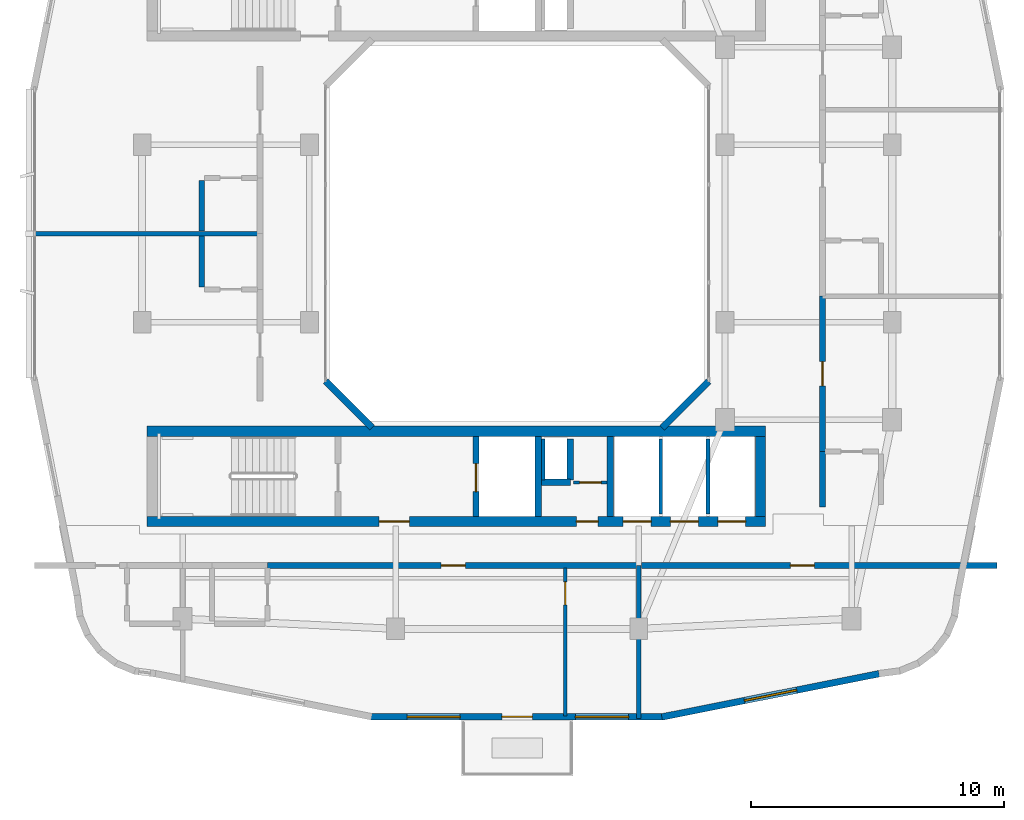
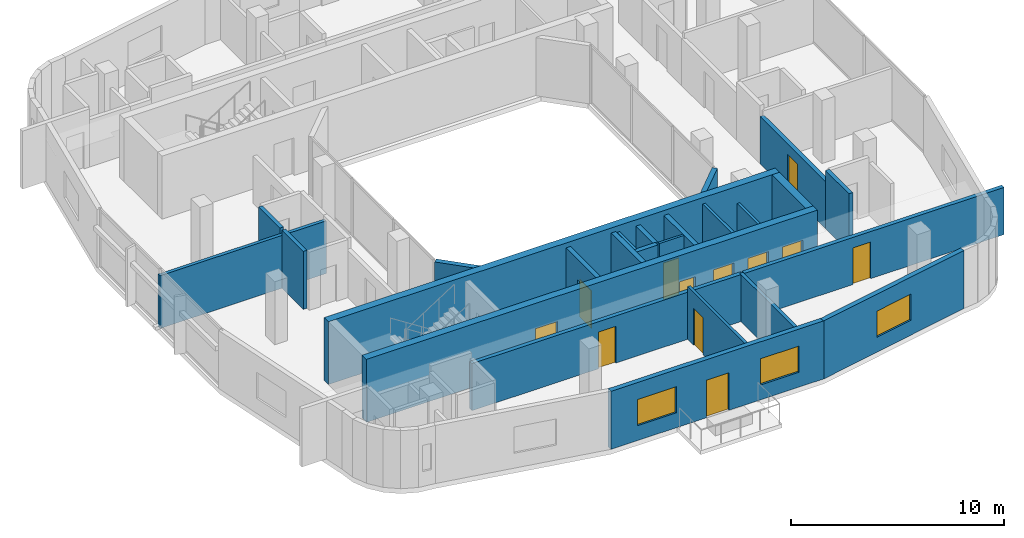
# One storey, part 6 of 13: 25 walls, 12 doors, 3 windows, 15 openings.
"""IFC4 building model written with IfcOpenShell, lengths in metres."""

import ifcopenshell
import ifcopenshell.guid

model = None  # the IFC model being written
_history = None  # IfcOwnerHistory: only IFC2X3 demands one
_inside = {}  # id of a spatial element -> (the spatial element, [elements in it])
_under = {}  # id of a project, library or spatial element -> (it, [spatial elements below it])
_declared = {}  # id of a project -> (the project, [libraries it declares])
_typed = {}  # id of a type object -> (the type object, [elements of that type])
_made_of = {}  # id of a material, layer set ... -> (it, [elements and type objects made of it])


def new_model(schema):
    """Start an empty IFC model of exactly this schema.

    Asked for "IFC4X3", IfcOpenShell would pick the latest addendum, in which some entities
    have other attributes; the version numbers below select the first issue.
    IFC2X3 requires an IfcOwnerHistory on every rooted entity: one is made here for all.
    """
    global model, _history
    if schema == "IFC4X3":
        model = ifcopenshell.file(schema_version=(4, 3, 0, 0))
    else:
        model = ifcopenshell.file(schema=schema)
    _inside.clear()
    _under.clear()
    _declared.clear()
    _typed.clear()
    _made_of.clear()
    _history = None
    if model.schema == "IFC2X3":
        org = make("IfcOrganization", Name="unknown")
        user = make(
            "IfcPersonAndOrganization",
            ThePerson=make("IfcPerson", FamilyName="unknown"),
            TheOrganization=org,
        )
        app = make(
            "IfcApplication",
            ApplicationDeveloper=org,
            Version="unknown",
            ApplicationFullName="unknown",
            ApplicationIdentifier="unknown",
        )
        _history = make(
            "IfcOwnerHistory",
            OwningUser=user,
            OwningApplication=app,
            ChangeAction="ADDED",
            CreationDate=0,
        )
    return model


def make(cls, **values):
    """One entity of the class cls with the attributes given. An attribute that is None is left unset."""
    return model.create_entity(
        cls, **{name: value for name, value in values.items() if value is not None}
    )


def rooted(cls, **values):
    """An entity with a GlobalId (a new one), such as an element, a storey or a relation."""
    return make(cls, GlobalId=ifcopenshell.guid.new(), OwnerHistory=_history, **values)


def si_unit(unit_type, name, prefix=None):
    """IfcSIUnit, for example si_unit("LENGTHUNIT", "METRE", prefix="MILLI")."""
    return make("IfcSIUnit", UnitType=unit_type, Prefix=prefix, Name=name)


def derived_unit(unit_type, elements):
    """IfcDerivedUnit: a product of units, each with its exponent."""
    return make(
        "IfcDerivedUnit",
        Elements=[
            make("IfcDerivedUnitElement", Unit=unit, Exponent=power)
            for unit, power in elements
        ],
        UnitType=unit_type,
    )


def assignment(units):
    """IfcUnitAssignment: the units of a project."""
    return None if units is None else make("IfcUnitAssignment", Units=units)


def point(xyz):
    """IfcCartesianPoint."""
    return None if xyz is None else make("IfcCartesianPoint", Coordinates=xyz)


def direction(xyz):
    """IfcDirection."""
    return None if xyz is None else make("IfcDirection", DirectionRatios=xyz)


def frame(location, z_axis=None, x_axis=None):
    """IfcAxis2Placement3D, a coordinate frame: its origin and axes. An axis left out is left unset."""
    return make(
        "IfcAxis2Placement3D",
        Location=point(location),
        Axis=direction(z_axis),
        RefDirection=direction(x_axis),
    )


def frame_2d(location, x_axis=None):
    """IfcAxis2Placement2D, a coordinate frame in the plane: its origin and x axis."""
    return make(
        "IfcAxis2Placement2D", Location=point(location), RefDirection=direction(x_axis)
    )


def origin():
    """The frame at (0, 0, 0) with its axes left unset."""
    return frame((0.0, 0.0, 0.0))


def place(relative_to, where):
    """IfcLocalPlacement: puts the frame where relative to a parent placement (None: the world)."""
    return make(
        "IfcLocalPlacement", PlacementRelTo=relative_to, RelativePlacement=where
    )


def context(
    kind, dimensions, precision=None, world=None, true_north=None, identifier=None
):
    """IfcGeometricRepresentationContext, for example the 3D "Model" context."""
    return make(
        "IfcGeometricRepresentationContext",
        ContextIdentifier=identifier,
        ContextType=kind,
        CoordinateSpaceDimension=dimensions,
        Precision=precision,
        WorldCoordinateSystem=world,
        TrueNorth=true_north,
    )


def subcontext(parent, identifier, kind, view, scale=None):
    """IfcGeometricRepresentationSubContext, for example "Body" below "Model"."""
    return make(
        "IfcGeometricRepresentationSubContext",
        ContextIdentifier=identifier,
        ContextType=kind,
        ParentContext=parent,
        TargetScale=scale,
        TargetView=view,
    )


def project(units=None, contexts=None):
    """IfcProject with its units and contexts."""
    return rooted(
        "IfcProject",
        Name="project",
        RepresentationContexts=contexts,
        UnitsInContext=assignment(units),
    )


def spatial(cls, under=None, at=None, **own):
    """A site, building, storey or space (cls), placed at a placement, below another one or the project."""
    s = rooted(cls, ObjectPlacement=at, **own)
    if under is not None:
        _under.setdefault(under.id(), (under, []))[1].append(s)
    return s


def profile(cls, at=None, kind="AREA", **sizes):
    """A parametric profile (cls). Its sizes go by their IFC names, for example OverallWidth=200.0."""
    return make(cls, ProfileType=kind, Position=at, **sizes)


def rectangle(**sizes):
    """IfcRectangleProfileDef."""
    return profile("IfcRectangleProfileDef", **sizes)


def extrude(swept, where, along, depth):
    """IfcExtrudedAreaSolid: the profile swept, set in the frame where, extruded along a direction by depth."""
    return make(
        "IfcExtrudedAreaSolid",
        SweptArea=swept,
        Position=where,
        ExtrudedDirection=direction(along),
        Depth=depth,
    )


def shape(context_of_items, identifier, shape_type, items):
    """IfcShapeRepresentation: the items that make up one representation, for example the "Body"."""
    return make(
        "IfcShapeRepresentation",
        ContextOfItems=context_of_items,
        RepresentationIdentifier=identifier,
        RepresentationType=shape_type,
        Items=items,
    )


def material(Name=None, Category=None):
    """IfcMaterial."""
    return make("IfcMaterial", Name=Name, Category=Category)


def layer(
    of_material, thickness, ventilated=None, Name=None, Category=None, Priority=None
):
    """IfcMaterialLayer: one layer of a wall or slab, of a material (None: an air gap)."""
    return make(
        "IfcMaterialLayer",
        Material=of_material,
        LayerThickness=thickness,
        IsVentilated=ventilated,
        Name=Name,
        Category=Category,
        Priority=Priority,
    )


def layer_set(layers, Name=None):
    """IfcMaterialLayerSet."""
    return make("IfcMaterialLayerSet", MaterialLayers=layers, LayerSetName=Name)


def made_of(thing, what):
    """Note that an element or type object is made of a material, layer set ...; save() writes the relation."""
    if what is not None:
        _made_of.setdefault(what.id(), (what, []))[1].append(thing)
    return thing


def type_object(cls, material=None, **own):
    """A type object (cls), such as IfcWallType, which elements share."""
    return made_of(rooted(cls, **own), material)


def element(
    cls,
    number,
    at=None,
    inside=None,
    cuts=None,
    type_object=None,
    material=None,
    context=None,
    identifier="Body",
    shape_type=None,
    held_by="IfcProductDefinitionShape",
    body=None,
    shapes=None,
    **own,
):
    """One element of the class cls, such as IfcWall. Its Tag is "e" and its number.

    at: its placement. inside: the storey or other place that contains it. cuts: it is an
    opening in that element (IfcRelVoidsElement). A single representation is given by context,
    identifier, shape_type and body (its items); several are given by shapes. held_by: the class
    of the entity that holds the representations. save() writes the other relations.
    """
    e = rooted(cls, Tag="e%d" % number, ObjectPlacement=at, **own)
    if body is not None:
        shapes = [shape(context, identifier, shape_type, body)]
    if shapes is not None:
        e.Representation = make(held_by, Representations=shapes)
    if inside is not None:
        _inside.setdefault(inside.id(), (inside, []))[1].append(e)
    if cuts is not None:
        rooted(
            "IfcRelVoidsElement", RelatingBuildingElement=cuts, RelatedOpeningElement=e
        )
    if type_object is not None:
        _typed.setdefault(type_object.id(), (type_object, []))[1].append(e)
    return made_of(e, material)


def fill(opening, filler):
    """IfcRelFillsElement: the door or window that sits in an opening."""
    return rooted(
        "IfcRelFillsElement",
        RelatingOpeningElement=opening,
        RelatedBuildingElement=filler,
    )


def aggregate(whole, parts):
    """IfcRelAggregates: a whole, such as a stair, and the parts it consists of."""
    return rooted("IfcRelAggregates", RelatingObject=whole, RelatedObjects=parts)


def save(model, path):
    """Write the relations noted so far, then the file.

    IfcRelAggregates (storeys below a building ...), IfcRelContainedInSpatialStructure (elements
    in a storey), IfcRelDefinesByType, IfcRelAssociatesMaterial and IfcRelDeclares: one each for
    every whole, place, type object, material and project.
    """
    for whole, parts in _under.values():
        aggregate(whole, parts)
    for where, things in _inside.values():
        rooted(
            "IfcRelContainedInSpatialStructure",
            RelatedElements=things,
            RelatingStructure=where,
        )
    for kind, things in _typed.values():
        rooted("IfcRelDefinesByType", RelatedObjects=things, RelatingType=kind)
    for what, things in _made_of.values():
        rooted("IfcRelAssociatesMaterial", RelatedObjects=things, RelatingMaterial=what)
    for by, libraries in _declared.values():
        rooted("IfcRelDeclares", RelatingContext=by, RelatedDefinitions=libraries)
    model.write(path)


model = new_model("IFC4")

# Units and contexts
model_context = context("Model", 3, precision=1e-05, world=origin(), true_north=direction((0.0, 1.0)))
body_context = subcontext(model_context, "Body", "Model", "MODEL_VIEW")
ifc_project = project(units=[si_unit("LENGTHUNIT", "METRE"), si_unit("AREAUNIT", "SQUARE_METRE"), si_unit("VOLUMEUNIT", "CUBIC_METRE"), si_unit("PLANEANGLEUNIT", "RADIAN"), si_unit("MASSUNIT", "GRAM", prefix="KILO"), derived_unit("THERMALTRANSMITTANCEUNIT", [(si_unit("POWERUNIT", "WATT"), 1), (si_unit("LENGTHUNIT", "METRE"), -2), (si_unit("THERMODYNAMICTEMPERATUREUNIT", "KELVIN"), -1)])], contexts=[model_context])

# Site, building, storey
site_placement = place(None, origin())
site = spatial("IfcSite", under=ifc_project, at=site_placement, CompositionType="ELEMENT")
building_placement = place(site_placement, origin())
building = spatial("IfcBuilding", under=site, at=building_placement, Name="Kivonza Crest Hotel", CompositionType="ELEMENT")
storey_placement = place(building_placement, frame((0.0, 0.0, 220.699951171875)))
storey = spatial("IfcBuildingStorey", under=building, at=storey_placement, Name="L60", CompositionType="ELEMENT", Elevation=220.699951171875)

# Walls
ifc_material_1 = material(Name="High-density acoustic masonry inter-tenancy wall", Category="masonry")
ifc_layer_1 = layer(ifc_material_1, 0.179931640625)
ifc_layer_set_1 = layer_set([ifc_layer_1], Name="High-density acoustic masonry inter-tenancy wall")
wall_type_1 = type_object("IfcWallType", Name="WL-ACOU-180", PredefinedType="SOLIDWALL", material=ifc_layer_set_1)
wall_1_placement = place(storey_placement, frame((25.800048828125, 5.860107421875, 0.0), z_axis=(0.0, 0.0, 1.0), x_axis=(0.0, 1.0, 0.0)))
element("IfcWall", 1, at=wall_1_placement, inside=storey, type_object=wall_type_1, Name="L60 interior partition WA-L60-T1S-DIV2", PredefinedType="SOLIDWALL", context=body_context, shape_type="SweptSolid", body=[
    extrude(rectangle(XDim=6.039794921875, YDim=0.179931640625, at=frame_2d((3.02001953125, 0.0))), origin(), (0.0, 0.0, 1.0), 2.695068359375),
])
wall_2_placement = place(storey_placement, frame((1.860107421875, 25.0, 0.0), z_axis=(0.0, 0.0, 1.0), x_axis=(1.0, 0.0, 0.0)))
element("IfcWall", 2, at=wall_2_placement, inside=storey, type_object=wall_type_1, Name="L60 interior partition WA-L60-T1W-DIV1", PredefinedType="SOLIDWALL", context=body_context, shape_type="SweptSolid", body=[
    extrude(rectangle(XDim=8.989990234375, YDim=0.179931640625, at=frame_2d((4.4951171875, 0.0))), origin(), (0.0, 0.0, 1.0), 3.01513671875),
])

# Wall, opening, door
ifc_material_2 = material(Name="Autoclaved aerated concrete blockwork", Category="masonry")
ifc_layer_2 = layer(ifc_material_2, 0.219970703125)
ifc_layer_set_2 = layer_set([ifc_layer_2], Name="Autoclaved aerated concrete blockwork")
wall_type_2 = type_object("IfcWallType", Name="WL-ACOU-220", PredefinedType="SOLIDWALL", material=ifc_layer_set_2)
wall_3_placement = place(storey_placement, frame((11.14990234375, 11.89990234375, 0.0), z_axis=(0.0, 0.0, 1.0), x_axis=(1.0, 0.0, 0.0)))
wall_3 = element("IfcWall", 3, at=wall_3_placement, inside=storey, type_object=wall_type_2, Name="L60 interior partition WA-L60-S06-MCORR", PredefinedType="SOLIDWALL", context=body_context, shape_type="SweptSolid", body=[
    extrude(rectangle(XDim=14.650146484375, YDim=0.219970703125, at=frame_2d((7.3251953125, 0.0))), origin(), (0.0, 0.0, 1.0), 2.695068359375),
])
opening_1_placement = place(wall_3_placement, frame((6.85009765625, 0.0, 0.0)))
opening_1 = element("IfcOpeningElement", 4, at=opening_1_placement, cuts=wall_3, Name="Opening DU-60", PredefinedType="OPENING", context=body_context, shape_type="SweptSolid", body=[
    extrude(rectangle(XDim=0.949951171875, YDim=2.10009765625, at=frame_2d((0.47509765625, 1.050048828125))), frame((0.0, 0.1201171875, 0.0), z_axis=(0.0, -1.0, 0.0), x_axis=(1.0, 0.0, 0.0)), (0.0, 0.0, 1.0), 0.239990234375),
])
ifc_material_3 = material(Name="Hardwood timber oak", Category="wood")
door_type_1 = type_object("IfcDoorType", Name="DR-UNIT-950", OperationType="NOTDEFINED", PredefinedType="DOOR", material=ifc_material_3)
door_1_placement = place(opening_1_placement, frame((0.949951171875, 0.0, 0.0), z_axis=(0.0, 0.0, 1.0), x_axis=(-1.0, 0.0, 0.0)))
door_1 = element("IfcDoor", 5, at=door_1_placement, inside=storey, type_object=door_type_1, Name="L60 S06 guest unit entrance fire door", OperationType="SINGLE_SWING_RIGHT", OverallHeight=2.10009765625, OverallWidth=0.949951171875, PredefinedType="DOOR", context=body_context, shape_type="SweptSolid", body=[
    extrude(rectangle(XDim=0.949951171875, YDim=2.10009765625, at=frame_2d((0.47509765625, 1.050048828125))), frame((0.0, 0.02490234375, 0.0), z_axis=(0.0, -1.0, 0.0), x_axis=(1.0, 0.0, 0.0)), (0.0, 0.0, 1.0), 0.050048828125),
])
fill(opening_1, door_1)

wall_4_placement = place(storey_placement, frame((25.89990234375, 11.89990234375, 0.0), z_axis=(0.0, 0.0, 1.0), x_axis=(1.0, 0.0, 0.0)))
wall_4 = element("IfcWall", 6, at=wall_4_placement, inside=storey, type_object=wall_type_2, Name="L60 interior partition WA-L60-BUS-MTG-N", PredefinedType="SOLIDWALL", context=body_context, shape_type="SweptSolid", body=[
    extrude(rectangle(XDim=14.0400390625, YDim=0.219970703125, at=frame_2d((7.02001953125, 0.0))), origin(), (0.0, 0.0, 1.0), 2.695068359375),
])
opening_2_placement = place(wall_4_placement, frame((5.881103515625, 0.0, 0.0)))
opening_2 = element("IfcOpeningElement", 7, at=opening_2_placement, cuts=wall_4, Name="Opening DF-60S", PredefinedType="OPENING", context=body_context, shape_type="SweptSolid", body=[
    extrude(rectangle(XDim=0.949951171875, YDim=2.10009765625, at=frame_2d((0.47509765625, 1.050048828125))), frame((0.0, 0.1201171875, 0.0), z_axis=(0.0, -1.0, 0.0), x_axis=(1.0, 0.0, 0.0)), (0.0, 0.0, 1.0), 0.239990234375),
])
door_type_2 = type_object("IfcDoorType", Name="DR-FD60-950", OperationType="NOTDEFINED", PredefinedType="DOOR", material=ifc_material_3)
door_2_placement = place(opening_2_placement, frame((0.949951171875, 0.0, 0.0), z_axis=(0.0, 0.0, 1.0), x_axis=(-1.0, 0.0, 0.0)))
door_2 = element("IfcDoor", 8, at=door_2_placement, inside=storey, type_object=door_type_2, Name="L60 Executive Club Lounge door", OperationType="SINGLE_SWING_RIGHT", OverallHeight=2.10009765625, OverallWidth=0.949951171875, PredefinedType="DOOR", context=body_context, shape_type="SweptSolid", body=[
    extrude(rectangle(XDim=0.949951171875, YDim=2.10009765625, at=frame_2d((0.47509765625, 1.050048828125))), frame((0.0, 0.02490234375, 0.0), z_axis=(0.0, -1.0, 0.0), x_axis=(1.0, 0.0, 0.0)), (0.0, 0.0, 1.0), 0.050048828125),
])
fill(opening_2, door_2)

# Wall
wall_5_placement = place(storey_placement, frame((33.050048828125, 14.199951171875, 0.0), z_axis=(0.0, 0.0, 1.0), x_axis=(0.0, 1.0, 0.0)))
element("IfcWall", 9, at=wall_5_placement, inside=storey, type_object=wall_type_2, Name="L60 interior partition WA-L60-E09-BCORR", PredefinedType="SOLIDWALL", context=body_context, shape_type="SweptSolid", body=[
    extrude(rectangle(XDim=2.199951171875, YDim=0.219970703125, at=frame_2d((1.10009765625, 0.0))), origin(), (0.0, 0.0, 1.0), 3.320068359375),
])

# Wall, opening, door
wall_6_placement = place(storey_placement, frame((33.050048828125, 16.39990234375, 0.0), z_axis=(0.0, 0.0, 1.0), x_axis=(0.0, 1.0, 0.0)))
wall_6 = element("IfcWall", 10, at=wall_6_placement, inside=storey, type_object=wall_type_2, Name="L60 interior partition WA-L60-E09-MCORR", PredefinedType="SOLIDWALL", context=body_context, shape_type="SweptSolid", body=[
    extrude(rectangle(XDim=6.134033203125, YDim=0.219970703125, at=frame_2d((3.06689453125, 0.0))), origin(), (0.0, 0.0, 1.0), 2.695068359375),
])
opening_3_placement = place(wall_6_placement, frame((2.592041015625, 0.0, 0.0)))
opening_3 = element("IfcOpeningElement", 11, at=opening_3_placement, cuts=wall_6, Name="Opening DU-60", PredefinedType="OPENING", context=body_context, shape_type="SweptSolid", body=[
    extrude(rectangle(XDim=0.949951171875, YDim=2.10009765625, at=frame_2d((0.47509765625, 1.050048828125))), frame((0.0, 0.1201171875, 0.0), z_axis=(0.0, -1.0, 0.0), x_axis=(1.0, 0.0, 0.0)), (0.0, 0.0, 1.0), 0.239990234375),
])
door_3_placement = place(opening_3_placement, frame((0.949951171875, 0.0, 0.0), z_axis=(0.0, 0.0, 1.0), x_axis=(-1.0, 0.0, 0.0)))
door_3 = element("IfcDoor", 12, at=door_3_placement, inside=storey, type_object=door_type_1, Name="L60 E09 guest unit entrance fire door", OperationType="SINGLE_SWING_LEFT", OverallHeight=2.10009765625, OverallWidth=0.949951171875, PredefinedType="DOOR", context=body_context, shape_type="SweptSolid", body=[
    extrude(rectangle(XDim=0.949951171875, YDim=2.10009765625, at=frame_2d((0.47509765625, 1.050048828125))), frame((0.0, 0.02490234375, 0.0), z_axis=(0.0, -1.0, 0.0), x_axis=(1.0, 0.0, 0.0)), (0.0, 0.0, 1.0), 0.050048828125),
])
fill(opening_3, door_3)

# Wall, openings, doors
ifc_material_4 = material(Name="Concrete C50/60", Category="concrete")
ifc_layer_3 = layer(ifc_material_4, 0.39990234375)
ifc_layer_set_3 = layer_set([ifc_layer_3], Name="Concrete C50/60")
wall_type_3 = type_object("IfcWallType", Name="WL-CORE-400", PredefinedType="SHEAR", material=ifc_layer_set_3)
wall_7_placement = place(storey_placement, frame((6.39990234375, 13.639892578125, 0.0), z_axis=(0.0, 0.0, 1.0), x_axis=(1.0, 0.0, 0.0)))
wall_7 = element("IfcWall", 13, at=wall_7_placement, inside=storey, type_object=wall_type_3, Name="Core wall T1-S South L60", PredefinedType="SHEAR", context=body_context, shape_type="SweptSolid", body=[
    extrude(rectangle(XDim=24.400146484375, YDim=0.39990234375, at=frame_2d((12.2001953125, 0.0))), origin(), (0.0, 0.0, 1.0), 3.60009765625),
])
opening_4_placement = place(wall_7_placement, frame((9.14990234375, 0.0, 0.0)))
opening_4 = element("IfcOpeningElement", 14, at=opening_4_placement, cuts=wall_7, Name="Opening DF-60", PredefinedType="OPENING", context=body_context, shape_type="SweptSolid", body=[
    extrude(rectangle(XDim=1.199951171875, YDim=2.14990234375, at=frame_2d((0.60009765625, 1.074951171875))), frame((0.0, 0.2099609375, 0.0), z_axis=(0.0, -1.0, 0.0), x_axis=(1.0, 0.0, 0.0)), (0.0, 0.0, 1.0), 0.419921875),
])
opening_5_placement = place(wall_7_placement, frame((16.93994140625, 0.0, 0.0)))
opening_5 = element("IfcOpeningElement", 15, at=opening_5_placement, cuts=wall_7, Name="Opening DF-60R", PredefinedType="OPENING", context=body_context, shape_type="SweptSolid", body=[
    extrude(rectangle(XDim=0.85009765625, YDim=2.10009765625, at=frame_2d((0.425048828125, 1.050048828125))), frame((0.0, 0.2099609375, 0.0), z_axis=(0.0, -1.0, 0.0), x_axis=(1.0, 0.0, 0.0)), (0.0, 0.0, 1.0), 0.419921875),
])
opening_6_placement = place(wall_7_placement, frame((18.782958984375, 0.0, 0.0)))
opening_6 = element("IfcOpeningElement", 16, at=opening_6_placement, cuts=wall_7, Name="Opening LD-120", PredefinedType="OPENING", context=body_context, shape_type="SweptSolid", body=[
    extrude(rectangle(XDim=1.10009765625, YDim=2.14990234375, at=frame_2d((0.550048828125, 1.074951171875))), frame((0.0, 0.2099609375, 0.0), z_axis=(0.0, -1.0, 0.0), x_axis=(1.0, 0.0, 0.0)), (0.0, 0.0, 1.0), 0.419921875),
])
opening_7_placement = place(wall_7_placement, frame((20.64990234375, 0.0, 0.0)))
opening_7 = element("IfcOpeningElement", 17, at=opening_7_placement, cuts=wall_7, Name="Opening LD-120", PredefinedType="OPENING", context=body_context, shape_type="SweptSolid", body=[
    extrude(rectangle(XDim=1.10009765625, YDim=2.14990234375, at=frame_2d((0.550048828125, 1.074951171875))), frame((0.0, 0.2099609375, 0.0), z_axis=(0.0, -1.0, 0.0), x_axis=(1.0, 0.0, 0.0)), (0.0, 0.0, 1.0), 0.419921875),
])
opening_8_placement = place(wall_7_placement, frame((22.51708984375, 0.0, 0.0)))
opening_8 = element("IfcOpeningElement", 18, at=opening_8_placement, cuts=wall_7, Name="Opening LD-120", PredefinedType="OPENING", context=body_context, shape_type="SweptSolid", body=[
    extrude(rectangle(XDim=1.10009765625, YDim=2.14990234375, at=frame_2d((0.550048828125, 1.074951171875))), frame((0.0, 0.2099609375, 0.0), z_axis=(0.0, -1.0, 0.0), x_axis=(1.0, 0.0, 0.0)), (0.0, 0.0, 1.0), 0.419921875),
])
door_type_3 = type_object("IfcDoorType", Name="DR-FD60-1200", OperationType="NOTDEFINED", PredefinedType="DOOR", material=ifc_material_3)
door_4_placement = place(opening_4_placement, frame((1.199951171875, 0.0, 0.0), z_axis=(0.0, 0.0, 1.0), x_axis=(-1.0, 0.0, 0.0)))
door_4 = element("IfcDoor", 19, at=door_4_placement, inside=storey, type_object=door_type_3, Name="L60 T1-S firefighting lobby fire door", OperationType="SINGLE_SWING_LEFT", OverallHeight=2.14990234375, OverallWidth=1.199951171875, PredefinedType="DOOR", context=body_context, shape_type="SweptSolid", body=[
    extrude(rectangle(XDim=1.199951171875, YDim=2.14990234375, at=frame_2d((0.60009765625, 1.074951171875))), frame((0.0, 0.02490234375, 0.0), z_axis=(0.0, -1.0, 0.0), x_axis=(1.0, 0.0, 0.0)), (0.0, 0.0, 1.0), 0.050048828125),
])
fill(opening_4, door_4)
door_type_4 = type_object("IfcDoorType", Name="DR-FD60-850", OperationType="NOTDEFINED", PredefinedType="DOOR", material=ifc_material_3)
door_5_placement = place(opening_5_placement, frame((0.85009765625, 0.0, 0.0), z_axis=(0.0, 0.0, 1.0), x_axis=(-1.0, 0.0, 0.0)))
door_5 = element("IfcDoor", 20, at=door_5_placement, inside=storey, type_object=door_type_4, Name="L60 T1-S core room door", OperationType="SINGLE_SWING_RIGHT", OverallHeight=2.10009765625, OverallWidth=0.85009765625, PredefinedType="DOOR", context=body_context, shape_type="SweptSolid", body=[
    extrude(rectangle(XDim=0.85009765625, YDim=2.10009765625, at=frame_2d((0.425048828125, 1.050048828125))), frame((0.0, 0.02490234375, 0.0), z_axis=(0.0, -1.0, 0.0), x_axis=(1.0, 0.0, 0.0)), (0.0, 0.0, 1.0), 0.050048828125),
])
fill(opening_5, door_5)
ifc_material_5 = material(Name="Stainless steel", Category="steel")
door_type_5 = type_object("IfcDoorType", Name="DR-LD120-1100", OperationType="NOTDEFINED", PredefinedType="DOOR", material=ifc_material_5)
door_6_placement = place(opening_6_placement, frame((1.10009765625, 0.0, 0.0), z_axis=(0.0, 0.0, 1.0), x_axis=(-1.0, 0.0, 0.0)))
door_6 = element("IfcDoor", 21, at=door_6_placement, inside=storey, type_object=door_type_5, Name="L60 PL-T1-H1 passenger lift sliding landing door", OperationType="DOUBLE_DOOR_SLIDING", OverallHeight=2.14990234375, OverallWidth=1.10009765625, PredefinedType="DOOR", context=body_context, shape_type="SweptSolid", body=[
    extrude(rectangle(XDim=1.10009765625, YDim=2.14990234375, at=frame_2d((0.550048828125, 1.074951171875))), frame((0.0, 0.02490234375, 0.0), z_axis=(0.0, -1.0, 0.0), x_axis=(1.0, 0.0, 0.0)), (0.0, 0.0, 1.0), 0.050048828125),
])
fill(opening_6, door_6)
door_7_placement = place(opening_7_placement, frame((1.10009765625, 0.0, 0.0), z_axis=(0.0, 0.0, 1.0), x_axis=(-1.0, 0.0, 0.0)))
door_7 = element("IfcDoor", 22, at=door_7_placement, inside=storey, type_object=door_type_5, Name="L60 PL-T1-H2 passenger lift sliding landing door", OperationType="DOUBLE_DOOR_SLIDING", OverallHeight=2.14990234375, OverallWidth=1.10009765625, PredefinedType="DOOR", context=body_context, shape_type="SweptSolid", body=[
    extrude(rectangle(XDim=1.10009765625, YDim=2.14990234375, at=frame_2d((0.550048828125, 1.074951171875))), frame((0.0, 0.02490234375, 0.0), z_axis=(0.0, -1.0, 0.0), x_axis=(1.0, 0.0, 0.0)), (0.0, 0.0, 1.0), 0.050048828125),
])
fill(opening_7, door_7)
door_8_placement = place(opening_8_placement, frame((1.10009765625, 0.0, 0.0), z_axis=(0.0, 0.0, 1.0), x_axis=(-1.0, 0.0, 0.0)))
door_8 = element("IfcDoor", 23, at=door_8_placement, inside=storey, type_object=door_type_5, Name="L60 PL-T1-H3 passenger lift sliding landing door", OperationType="DOUBLE_DOOR_SLIDING", OverallHeight=2.14990234375, OverallWidth=1.10009765625, PredefinedType="DOOR", context=body_context, shape_type="SweptSolid", body=[
    extrude(rectangle(XDim=1.10009765625, YDim=2.14990234375, at=frame_2d((0.550048828125, 1.074951171875))), frame((0.0, 0.02490234375, 0.0), z_axis=(0.0, -1.0, 0.0), x_axis=(1.0, 0.0, 0.0)), (0.0, 0.0, 1.0), 0.050048828125),
])
fill(opening_8, door_8)

# Walls
wall_8_placement = place(storey_placement, frame((6.39990234375, 17.199951171875, 0.0), z_axis=(0.0, 0.0, 1.0), x_axis=(1.0, 0.0, 0.0)))
element("IfcWall", 24, at=wall_8_placement, inside=storey, type_object=wall_type_3, Name="Core wall T1-S North L60", PredefinedType="SHEAR", context=body_context, shape_type="SweptSolid", body=[
    extrude(rectangle(XDim=24.400146484375, YDim=0.39990234375, at=frame_2d((12.2001953125, 0.0))), origin(), (0.0, 0.0, 1.0), 3.60009765625),
])
wall_9_placement = place(storey_placement, frame((30.60009765625, 13.840087890625, 0.0), z_axis=(0.0, 0.0, 1.0), x_axis=(0.0, 1.0, 0.0)))
element("IfcWall", 25, at=wall_9_placement, inside=storey, type_object=wall_type_3, Name="Core wall T1-S East L60", PredefinedType="SHEAR", context=body_context, shape_type="SweptSolid", body=[
    extrude(rectangle(XDim=3.159912109375, YDim=0.39990234375, at=frame_2d((1.580078125, 0.0))), origin(), (0.0, 0.0, 1.0), 3.60009765625),
])

# Wall, openings, door, windows
ifc_material_6 = material(Name="Precast concrete C40/50", Category="concrete")
ifc_layer_4 = layer(ifc_material_6, 0.260009765625)
ifc_layer_set_4 = layer_set([ifc_layer_4], Name="Precast concrete C40/50")
wall_type_4 = type_object("IfcWallType", Name="WL-EXT-260", PredefinedType="STANDARD", material=ifc_layer_set_4)
wall_10_placement = place(storey_placement, frame((15.215087890625, 5.929931640625, 0.0), z_axis=(0.0, 0.0, 1.0), x_axis=(1.0, 0.0, 0.0)))
wall_10 = element("IfcWall", 26, at=wall_10_placement, inside=storey, type_object=wall_type_4, Name="L60 T1 exterior insulated wall 8", PredefinedType="STANDARD", context=body_context, shape_type="SweptSolid", body=[
    extrude(rectangle(XDim=11.534912109375, YDim=0.260009765625, at=frame_2d((5.767578125, 0.0))), origin(), (0.0, 0.0, 1.0), 3.320068359375),
])
opening_9_placement = place(wall_10_placement, frame((5.18505859375, 0.0, 0.0)))
opening_9 = element("IfcOpeningElement", 27, at=opening_9_placement, cuts=wall_10, Name="Opening DT-120", PredefinedType="OPENING", context=body_context, shape_type="SweptSolid", body=[
    extrude(rectangle(XDim=1.199951171875, YDim=2.14990234375, at=frame_2d((0.60009765625, 1.074951171875))), frame((0.0, 0.14013671875, 0.0), z_axis=(0.0, -1.0, 0.0), x_axis=(1.0, 0.0, 0.0)), (0.0, 0.0, 1.0), 0.280029296875),
])
opening_10_placement = place(wall_10_placement, frame((1.43701171875, 0.0, 0.85009765625)))
opening_10 = element("IfcOpeningElement", 28, at=opening_10_placement, cuts=wall_10, Name="Opening WN-04", PredefinedType="OPENING", context=body_context, shape_type="SweptSolid", body=[
    extrude(rectangle(XDim=2.10009765625, YDim=1.5, at=frame_2d((1.050048828125, 0.75))), frame((0.0, 0.14013671875, 0.0), z_axis=(0.0, -1.0, 0.0), x_axis=(1.0, 0.0, 0.0)), (0.0, 0.0, 1.0), 0.280029296875),
])
opening_11_placement = place(wall_10_placement, frame((8.0849609375, 0.0, 0.85009765625)))
opening_11 = element("IfcOpeningElement", 29, at=opening_11_placement, cuts=wall_10, Name="Opening WN-04", PredefinedType="OPENING", context=body_context, shape_type="SweptSolid", body=[
    extrude(rectangle(XDim=2.10009765625, YDim=1.5, at=frame_2d((1.050048828125, 0.75))), frame((0.0, 0.14013671875, 0.0), z_axis=(0.0, -1.0, 0.0), x_axis=(1.0, 0.0, 0.0)), (0.0, 0.0, 1.0), 0.280029296875),
])
ifc_material_7 = material(Name="Anodised bronze aluminium and laminated safety glass", Category="aluminium")
door_type_6 = type_object("IfcDoorType", Name="DR-TERR-1200", OperationType="NOTDEFINED", PredefinedType="DOOR", material=ifc_material_7)
door_9_placement = place(opening_9_placement, frame((1.199951171875, 0.0, 0.0), z_axis=(0.0, 0.0, 1.0), x_axis=(-1.0, 0.0, 0.0)))
door_9 = element("IfcDoor", 30, at=door_9_placement, inside=storey, type_object=door_type_6, Name="T1 L60 SW sky-garden bridge access door", OperationType="SINGLE_SWING_LEFT", OverallHeight=2.14990234375, OverallWidth=1.199951171875, PredefinedType="DOOR", context=body_context, shape_type="SweptSolid", body=[
    extrude(rectangle(XDim=1.199951171875, YDim=2.14990234375, at=frame_2d((0.60009765625, 1.074951171875))), frame((0.0, 0.02490234375, 0.0), z_axis=(0.0, -1.0, 0.0), x_axis=(1.0, 0.0, 0.0)), (0.0, 0.0, 1.0), 0.050048828125),
])
fill(opening_9, door_9)
ifc_material_8 = material(Name="Thermally broken bronze aluminium and low-E double glazing", Category="aluminium")
window_type = type_object("IfcWindowType", Name="WN-210x150", PartitioningType="DOUBLE_PANEL_VERTICAL", PredefinedType="WINDOW", material=ifc_material_8)
window_1_placement = place(opening_10_placement, origin())
window_1 = element("IfcWindow", 31, at=window_1_placement, inside=storey, type_object=window_type, Name="L60 T1 facade window 8 bay 1", OverallHeight=1.5, OverallWidth=2.10009765625, PartitioningType="SINGLE_PANEL", PredefinedType="WINDOW", context=body_context, shape_type="SweptSolid", body=[
    extrude(rectangle(XDim=2.10009765625, YDim=1.5, at=frame_2d((1.050048828125, 0.75))), frame((0.0, 0.030029296875, 0.0), z_axis=(0.0, -1.0, 0.0), x_axis=(1.0, 0.0, 0.0)), (0.0, 0.0, 1.0), 0.06005859375),
])
fill(opening_10, window_1)
window_2_placement = place(opening_11_placement, origin())
window_2 = element("IfcWindow", 32, at=window_2_placement, inside=storey, type_object=window_type, Name="L60 T1 facade window 8 bay 2", OverallHeight=1.5, OverallWidth=2.10009765625, PartitioningType="SINGLE_PANEL", PredefinedType="WINDOW", context=body_context, shape_type="SweptSolid", body=[
    extrude(rectangle(XDim=2.10009765625, YDim=1.5, at=frame_2d((1.050048828125, 0.75))), frame((0.0, 0.030029296875, 0.0), z_axis=(0.0, -1.0, 0.0), x_axis=(1.0, 0.0, 0.0)), (0.0, 0.0, 1.0), 0.06005859375),
])
fill(opening_11, window_2)

# Wall, opening, window
wall_11_placement = place(storey_placement, frame((26.7099609375, 5.922119140625, 0.0), z_axis=(0.0, 0.0, 1.0), x_axis=(0.980752174324, 0.195256683773, 0.0)))
wall_11 = element("IfcWall", 33, at=wall_11_placement, inside=storey, type_object=wall_type_4, Name="L60 T1 exterior insulated wall 9", PredefinedType="STANDARD", context=body_context, shape_type="SweptSolid", body=[
    extrude(rectangle(XDim=8.7412109375, YDim=0.260009765625, at=frame_2d((4.37060546875, 0.0))), origin(), (0.0, 0.0, 1.0), 3.320068359375),
])
opening_12_placement = place(wall_11_placement, frame((3.321044921875, 0.0, 0.85009765625)))
opening_12 = element("IfcOpeningElement", 34, at=opening_12_placement, cuts=wall_11, Name="Opening WN-04", PredefinedType="OPENING", context=body_context, shape_type="SweptSolid", body=[
    extrude(rectangle(XDim=2.10009765625, YDim=1.5, at=frame_2d((1.050048828125, 0.75))), frame((0.0, 0.14013671875, 0.0), z_axis=(0.0, -1.0, 0.0), x_axis=(1.0, 0.0, 0.0)), (0.0, 0.0, 1.0), 0.280029296875),
])
window_3_placement = place(opening_12_placement, origin())
window_3 = element("IfcWindow", 35, at=window_3_placement, inside=storey, type_object=window_type, Name="L60 T1 facade window 9", OverallHeight=1.5, OverallWidth=2.10009765625, PartitioningType="SINGLE_PANEL", PredefinedType="WINDOW", context=body_context, shape_type="SweptSolid", body=[
    extrude(rectangle(XDim=2.10009765625, YDim=1.5, at=frame_2d((1.050048828125, 0.75))), frame((0.0, 0.030029296875, 0.0), z_axis=(0.0, -1.0, 0.0), x_axis=(1.0, 0.0, 0.0)), (0.0, 0.0, 1.0), 0.06005859375),
])
fill(opening_12, window_3)

# Walls
for number, where, z_axis, x_axis, name in (
    (36, (26.721923828125, 17.337890625, 0.0), (0.0, 0.0, 1.0), (0.707059717605, 0.707153841636, 0.0), "L60 T1 light-well exterior wall 2"),
    (37, (13.444091796875, 19.172119140625, 0.0), (0.0, 0.0, 1.0), (0.707059717605, -0.707153841636, 0.0), "L60 T1 light-well exterior wall 8"),
):
    element("IfcWall", number, at=place(storey_placement, frame(where, z_axis=z_axis, x_axis=x_axis)), inside=storey, type_object=wall_type_4, Name=name, PredefinedType="STANDARD", context=body_context, shape_type="SweptSolid", body=[
        extrude(rectangle(XDim=2.59375, YDim=0.260009765625, at=frame_2d((1.296875, 0.0))), origin(), (0.0, 0.0, 1.0), 3.320068359375),
    ])
ifc_material_9 = material(Name="Concrete blockwork fire-compartment wall", Category="masonry")
ifc_layer_5 = layer(ifc_material_9, 0.25)
ifc_layer_set_5 = layer_set([ifc_layer_5], Name="Concrete blockwork fire-compartment wall")
wall_type_5 = type_object("IfcWallType", Name="WL-FIRE-250", PredefinedType="SOLIDWALL", material=ifc_layer_set_5)
wall_12_placement = place(storey_placement, frame((23.10009765625, 15.280029296875, 0.0), z_axis=(0.0, 0.0, 1.0), x_axis=(0.0, 1.0, 0.0)))
element("IfcWall", 38, at=wall_12_placement, inside=storey, type_object=wall_type_5, Name="L60 interior partition WA-L60-T1-S-MEPR-E", PredefinedType="SOLIDWALL", context=body_context, shape_type="SweptSolid", body=[
    extrude(rectangle(XDim=1.619873046875, YDim=0.25, at=frame_2d((0.81005859375, 0.0))), origin(), (0.0, 0.0, 1.0), 3.320068359375),
])
wall_13_placement = place(storey_placement, frame((21.949951171875, 15.179931640625, 0.0), z_axis=(0.0, 0.0, 1.0), x_axis=(1.0, 0.0, 0.0)))
element("IfcWall", 39, at=wall_13_placement, inside=storey, type_object=wall_type_5, Name="L60 interior partition WA-L60-T1-S-MEPR-H", PredefinedType="SOLIDWALL", context=body_context, shape_type="SweptSolid", body=[
    extrude(rectangle(XDim=1.150146484375, YDim=0.25, at=frame_2d((0.5751953125, 0.0))), origin(), (0.0, 0.0, 1.0), 3.320068359375),
])

# Wall, opening, door
ifc_material_10 = material(Name="Metal-stud gypsum board partition", Category="gypsum")
ifc_layer_6 = layer(ifc_material_10, 0.125)
ifc_layer_set_6 = layer_set([ifc_layer_6], Name="Metal-stud gypsum board partition")
wall_type_6 = type_object("IfcWallType", Name="WL-PART-125", PredefinedType="PARTITIONING", material=ifc_layer_set_6)
wall_14_placement = place(storey_placement, frame((23.219970703125, 15.179931640625, 0.0), z_axis=(0.0, 0.0, 1.0), x_axis=(1.0, 0.0, 0.0)))
wall_14 = element("IfcWall", 40, at=wall_14_placement, inside=storey, type_object=wall_type_6, Name="L60 interior partition WP-L60-T1-S-SV3H", PredefinedType="PARTITIONING", context=body_context, shape_type="SweptSolid", body=[
    extrude(rectangle(XDim=1.330078125, YDim=0.125, at=frame_2d((0.6650390625, 0.0))), origin(), (0.0, 0.0, 1.0), 3.320068359375),
])
opening_13_placement = place(wall_14_placement, frame((0.239990234375, 0.0, 0.0)))
opening_13 = element("IfcOpeningElement", 41, at=opening_13_placement, cuts=wall_14, Name="Opening DI-85", PredefinedType="OPENING", context=body_context, shape_type="SweptSolid", body=[
    extrude(rectangle(XDim=0.85009765625, YDim=2.10009765625, at=frame_2d((0.425048828125, 1.050048828125))), frame((0.0, 0.072509765625, 0.0), z_axis=(0.0, -1.0, 0.0), x_axis=(1.0, 0.0, 0.0)), (0.0, 0.0, 1.0), 0.14501953125),
])
door_type_7 = type_object("IfcDoorType", Name="DR-INT-850", OperationType="NOTDEFINED", PredefinedType="DOOR", material=ifc_material_3)
door_10_placement = place(opening_13_placement, origin())
door_10 = element("IfcDoor", 42, at=door_10_placement, inside=storey, type_object=door_type_7, Name="L60 T1-S inner manifold door", OperationType="SINGLE_SWING_LEFT", OverallHeight=2.10009765625, OverallWidth=0.85009765625, PredefinedType="DOOR", context=body_context, shape_type="SweptSolid", body=[
    extrude(rectangle(XDim=0.85009765625, YDim=2.10009765625, at=frame_2d((0.425048828125, 1.050048828125))), frame((0.0, 0.02490234375, 0.0), z_axis=(0.0, -1.0, 0.0), x_axis=(1.0, 0.0, 0.0)), (0.0, 0.0, 1.0), 0.050048828125),
])
fill(opening_13, door_10)

# Walls
ifc_material_11 = material(Name="Twin-stud acoustic gypsum board partition", Category="gypsum")
ifc_layer_7 = layer(ifc_material_11, 0.14990234375)
ifc_layer_set_7 = layer_set([ifc_layer_7], Name="Twin-stud acoustic gypsum board partition")
wall_type_7 = type_object("IfcWallType", Name="WL-PART-150", PredefinedType="PARTITIONING", material=ifc_layer_set_7)
wall_15_placement = place(storey_placement, frame((22.030029296875, 15.280029296875, 0.0), z_axis=(0.0, 0.0, 1.0), x_axis=(0.0, 1.0, 0.0)))
element("IfcWall", 43, at=wall_15_placement, inside=storey, type_object=wall_type_7, Name="L60 interior partition WA-L60-T1-S-MEPR-W", PredefinedType="PARTITIONING", context=body_context, shape_type="SweptSolid", body=[
    extrude(rectangle(XDim=1.619873046875, YDim=0.14990234375, at=frame_2d((0.81005859375, 0.0))), origin(), (0.0, 0.0, 1.0), 3.320068359375),
])
wall_16_placement = place(storey_placement, frame((26.6669921875, 13.93994140625, 0.0), z_axis=(0.0, 0.0, 1.0), x_axis=(0.0, 1.0, 0.0)))
element("IfcWall", 44, at=wall_16_placement, inside=storey, type_object=wall_type_7, Name="L60 interior partition WP-L60-T1-S-BSH-1", PredefinedType="PARTITIONING", context=body_context, shape_type="SweptSolid", body=[
    extrude(rectangle(XDim=2.9599609375, YDim=0.14990234375, at=frame_2d((1.47998046875, 0.0))), origin(), (0.0, 0.0, 1.0), 3.320068359375),
])
wall_17_placement = place(storey_placement, frame((28.532958984375, 13.93994140625, 0.0), z_axis=(0.0, 0.0, 1.0), x_axis=(0.0, 1.0, 0.0)))
element("IfcWall", 45, at=wall_17_placement, inside=storey, type_object=wall_type_7, Name="L60 interior partition WP-L60-T1-S-BSH-2", PredefinedType="PARTITIONING", context=body_context, shape_type="SweptSolid", body=[
    extrude(rectangle(XDim=2.9599609375, YDim=0.14990234375, at=frame_2d((1.47998046875, 0.0))), origin(), (0.0, 0.0, 1.0), 2.695068359375),
])

# Wall, opening, door
wall_18_placement = place(storey_placement, frame((22.89990234375, 5.9599609375, 0.0), z_axis=(0.0, 0.0, 1.0), x_axis=(0.0, 1.0, 0.0)))
wall_18 = element("IfcWall", 46, at=wall_18_placement, inside=storey, type_object=wall_type_7, Name="L60 interior partition WP-L60-S06-SPSP", PredefinedType="PARTITIONING", context=body_context, shape_type="SweptSolid", body=[
    extrude(rectangle(XDim=5.840087890625, YDim=0.14990234375, at=frame_2d((2.919921875, 0.0))), origin(), (0.0, 0.0, 1.0), 3.01513671875),
])
opening_14_placement = place(wall_18_placement, frame((4.389892578125, 0.0, 0.0)))
opening_14 = element("IfcOpeningElement", 47, at=opening_14_placement, cuts=wall_18, Name="Opening DI-90", PredefinedType="OPENING", context=body_context, shape_type="SweptSolid", body=[
    extrude(rectangle(XDim=0.89990234375, YDim=2.10009765625, at=frame_2d((0.449951171875, 1.050048828125))), frame((0.0, 0.0849609375, 0.0), z_axis=(0.0, -1.0, 0.0), x_axis=(1.0, 0.0, 0.0)), (0.0, 0.0, 1.0), 0.169921875),
])
door_type_8 = type_object("IfcDoorType", Name="DR-INT-900", OperationType="NOTDEFINED", PredefinedType="DOOR", material=ifc_material_3)
door_11_placement = place(opening_14_placement, origin())
door_11 = element("IfcDoor", 48, at=door_11_placement, inside=storey, type_object=door_type_8, Name="L60 S06 suite bedroom door", OperationType="SINGLE_SWING_LEFT", OverallHeight=2.10009765625, OverallWidth=0.89990234375, PredefinedType="DOOR", context=body_context, shape_type="SweptSolid", body=[
    extrude(rectangle(XDim=0.89990234375, YDim=2.10009765625, at=frame_2d((0.449951171875, 1.050048828125))), frame((0.0, 0.02490234375, 0.0), z_axis=(0.0, -1.0, 0.0), x_axis=(1.0, 0.0, 0.0)), (0.0, 0.0, 1.0), 0.050048828125),
])
fill(opening_14, door_11)

# Walls
ifc_material_12 = material(Name="Moisture-resistant plumbing chase partition wall", Category="gypsum")
ifc_layer_8 = layer(ifc_material_12, 0.199951171875)
ifc_layer_set_8 = layer_set([ifc_layer_8], Name="Moisture-resistant plumbing chase partition wall")
wall_type_8 = type_object("IfcWallType", Name="WL-PLUMB-200", PredefinedType="PLUMBINGWALL", material=ifc_layer_set_8)
for number, where, z_axis, x_axis, name in (
    (49, (8.550048828125, 22.89990234375, 0.0), (0.0, 0.0, 1.0), (0.0, 1.0, 0.0), "L60 interior partition WW-L60-W07-BV"),
    (50, (8.550048828125, 25.10009765625, 0.0), (0.0, 0.0, 1.0), (0.0, 1.0, 0.0), "L60 interior partition WW-L60-W08-BV"),
):
    element("IfcWall", number, at=place(storey_placement, frame(where, z_axis=z_axis, x_axis=x_axis)), inside=storey, type_object=wall_type_8, Name=name, PredefinedType="PLUMBINGWALL", context=body_context, shape_type="SweptSolid", body=[
        extrude(rectangle(XDim=2.0, YDim=0.199951171875, at=frame_2d((1.0, 0.0))), origin(), (0.0, 0.0, 1.0), 3.320068359375),
    ])

# Wall, opening, door
ifc_layer_9 = layer(ifc_material_4, 0.25)
ifc_layer_set_9 = layer_set([ifc_layer_9], Name="Concrete C50/60")
wall_type_9 = type_object("IfcWallType", Name="WL-SHAFT-250", PredefinedType="STANDARD", material=ifc_layer_set_9)
wall_19_placement = place(storey_placement, frame((19.375, 13.840087890625, 0.0), z_axis=(0.0, 0.0, 1.0), x_axis=(0.0, 1.0, 0.0)))
wall_19 = element("IfcWall", 51, at=wall_19_placement, inside=storey, type_object=wall_type_9, Name="Core shaft wall T1-S FFL-W L60", PredefinedType="STANDARD", context=body_context, shape_type="SweptSolid", body=[
    extrude(rectangle(XDim=3.159912109375, YDim=0.25, at=frame_2d((1.580078125, 0.0))), origin(), (0.0, 0.0, 1.0), 3.320068359375),
])
opening_15_placement = place(wall_19_placement, frame((0.97998046875, 0.0, 0.0)))
opening_15 = element("IfcOpeningElement", 52, at=opening_15_placement, cuts=wall_19, Name="Opening LD-120", PredefinedType="OPENING", context=body_context, shape_type="SweptSolid", body=[
    extrude(rectangle(XDim=1.10009765625, YDim=2.14990234375, at=frame_2d((0.550048828125, 1.074951171875))), frame((0.0, 0.135009765625, 0.0), z_axis=(0.0, -1.0, 0.0), x_axis=(1.0, 0.0, 0.0)), (0.0, 0.0, 1.0), 0.27001953125),
])
door_12_placement = place(opening_15_placement, origin())
door_12 = element("IfcDoor", 53, at=door_12_placement, inside=storey, type_object=door_type_5, Name="L60 FFL-T1-S firefighting lift sliding landing door", OperationType="DOUBLE_DOOR_SLIDING", OverallHeight=2.14990234375, OverallWidth=1.10009765625, PredefinedType="DOOR", context=body_context, shape_type="SweptSolid", body=[
    extrude(rectangle(XDim=1.10009765625, YDim=2.14990234375, at=frame_2d((0.550048828125, 1.074951171875))), frame((0.0, 0.02490234375, 0.0), z_axis=(0.0, -1.0, 0.0), x_axis=(1.0, 0.0, 0.0)), (0.0, 0.0, 1.0), 0.050048828125),
])
fill(opening_15, door_12)

# Walls
for number, where, z_axis, x_axis, name in (
    (54, (21.824951171875, 13.840087890625, 0.0), (0.0, 0.0, 1.0), (0.0, 1.0, 0.0), "Core shaft wall T1-S FFL-E L60"),
    (55, (24.675048828125, 13.840087890625, 0.0), (0.0, 0.0, 1.0), (0.0, 1.0, 0.0), "Core shaft wall T1-S BANK-W L60"),
):
    element("IfcWall", number, at=place(storey_placement, frame(where, z_axis=z_axis, x_axis=x_axis)), inside=storey, type_object=wall_type_9, Name=name, PredefinedType="STANDARD", context=body_context, shape_type="SweptSolid", body=[
        extrude(rectangle(XDim=3.159912109375, YDim=0.25, at=frame_2d((1.580078125, 0.0))), origin(), (0.0, 0.0, 1.0), 3.320068359375),
    ])

save(model, "model.ifc")
